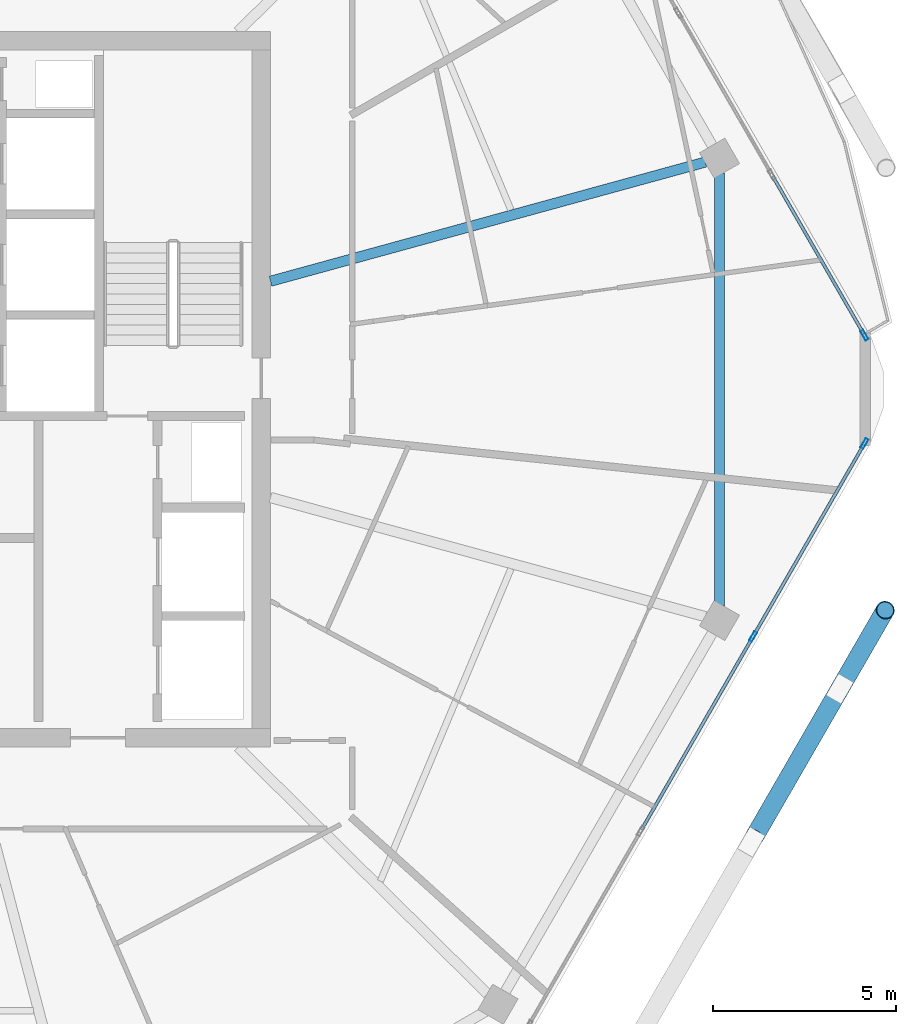
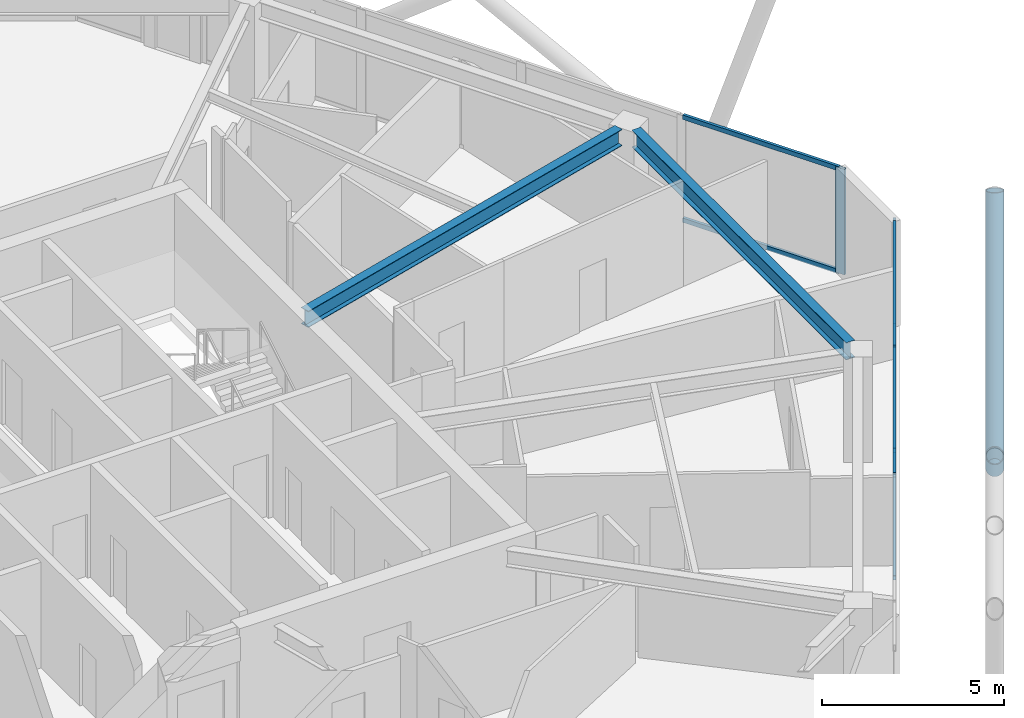
# One storey, part 9 of 24: 11 members, 2 beams, 2 elements without a shape of their own.
"""IFC4 building model written with IfcOpenShell, lengths in metres."""

from ifc_helpers import new_model, si_unit, direction, frame, origin, origin_2d, place, context, subcontext, project, spatial, hollow_rectangle, hollow_circle, i_section, extrude, material, material_profile, profile_set, type_object, element, aggregate, save


model = new_model("IFC4")

# Units and contexts
model_context = context("Model", 3, precision=1e-05, world=origin(), true_north=direction((0.0, 1.0)))
body_context = subcontext(model_context, "Body", "Model", "MODEL_VIEW")
ifc_project = project(units=[si_unit("LENGTHUNIT", "METRE"), si_unit("AREAUNIT", "SQUARE_METRE"), si_unit("VOLUMEUNIT", "CUBIC_METRE"), si_unit("PLANEANGLEUNIT", "RADIAN"), si_unit("MASSUNIT", "GRAM", prefix="KILO")], contexts=[model_context])

# Site, building, storey
site_placement = place(None, origin())
site = spatial("IfcSite", under=ifc_project, at=site_placement, CompositionType="ELEMENT")
building_placement = place(site_placement, origin())
building = spatial("IfcBuilding", under=site, at=building_placement, Name="Zuhravey Tower", CompositionType="ELEMENT")
storey_placement = place(building_placement, frame((0.0, 0.0, 308.199951171875)))
storey = spatial("IfcBuildingStorey", under=building, at=storey_placement, Name="L78", CompositionType="ELEMENT", Elevation=308.199951171875)

# Curtain wall, members
ifc_material_1 = material(Name="Thermally broken anodised aluminium", Category="aluminium")
curtain_wall_type = type_object("IfcCurtainWallType", Name="Zone 3-4 High-Rise Curtain Wall CW4", PredefinedType="NOTDEFINED", material=ifc_material_1)
curtain_wall_1_placement = place(storey_placement, origin())
curtain_wall_1 = element("IfcCurtainWall", 1, at=curtain_wall_1_placement, inside=storey, type_object=curtain_wall_type, Name="L78 CW4 CW-L78-F6-1", PredefinedType="NOTDEFINED")
ifc_material_2 = material(Name="Anodised aluminium", Category="aluminium")
ifc_material_profile_1 = material_profile(ifc_material_2, hollow_rectangle(XDim=0.090087890625, YDim=0.284912109375, WallThickness=0.0048828125, at=origin_2d()), Name="ALU-RHS-90x285x5")
ifc_profile_set_1 = profile_set([ifc_material_profile_1], Name="Anodised aluminium")
member_type_1 = type_object("IfcMemberType", Name="Curtain-Wall Mullion 90x180", PredefinedType="MULLION", material=ifc_profile_set_1)
member_1_placement = place(storey_placement, frame((62.94580078125, 30.5234375, 0.0), z_axis=(0.0, 0.0, 1.0), x_axis=(0.866025511541, -0.49999981336, 0.0)))
member_1 = element("IfcMember", 2, at=member_1_placement, type_object=member_type_1, Name="CW4 mullion 1", PredefinedType="MULLION", context=body_context, shape_type="SweptSolid", body=[
    extrude(hollow_rectangle(XDim=0.090087890625, YDim=0.284912109375, WallThickness=0.0048828125, at=origin_2d()), origin(), (0.0, 0.0, 1.0), 3.550048828125),
])
member_2_placement = place(storey_placement, frame((59.90869140625, 25.2626953125, 0.0), z_axis=(0.0, 0.0, 1.0), x_axis=(0.866025511541, -0.49999981336, 0.0)))
member_2 = element("IfcMember", 3, at=member_2_placement, type_object=member_type_1, Name="CW4 mullion 2", PredefinedType="MULLION", context=body_context, shape_type="SweptSolid", body=[
    extrude(hollow_rectangle(XDim=0.090087890625, YDim=0.284912109375, WallThickness=0.0048828125, at=origin_2d()), origin(), (0.0, 0.0, 1.0), 3.550048828125),
])

# Curtain wall, member
curtain_wall_2_placement = place(storey_placement, origin())
curtain_wall_2 = element("IfcCurtainWall", 4, at=curtain_wall_2_placement, inside=storey, type_object=curtain_wall_type, Name="L78 CW4 CW-L78-F1-2", PredefinedType="NOTDEFINED")
member_3_placement = place(storey_placement, frame((62.94580078125, 33.4765625, 0.0), z_axis=(0.0, 0.0, 1.0), x_axis=(0.866023892901, 0.500002616917, 0.0)))
member_3 = element("IfcMember", 5, at=member_3_placement, type_object=member_type_1, Name="CW4 mullion 5", PredefinedType="MULLION", context=body_context, shape_type="SweptSolid", body=[
    extrude(hollow_rectangle(XDim=0.090087890625, YDim=0.284912109375, WallThickness=0.0048828125, at=origin_2d()), origin(), (0.0, 0.0, 1.0), 3.550048828125),
])

# Member
ifc_material_profile_2 = material_profile(ifc_material_2, hollow_rectangle(XDim=0.090087890625, YDim=0.14990234375, WallThickness=0.0048828125, at=origin_2d()), Name="ALU-RHS-90x150x5")
ifc_profile_set_2 = profile_set([ifc_material_profile_2], Name="Anodised aluminium")
member_type_2 = type_object("IfcMemberType", Name="Curtain-Wall Transom 90x150", PredefinedType="USERDEFINED", material=ifc_profile_set_2)
member_4_placement = place(storey_placement, frame((62.92333984375, 30.484619140625, 0.045166015625), z_axis=(-0.499982594807, -0.866035452444, 0.0), x_axis=(0.866035452444, -0.499982594807, 0.0)))
member_4 = element("IfcMember", 6, at=member_4_placement, type_object=member_type_2, Name="CW4 transom 1.1", ObjectType="TRANSOM", PredefinedType="USERDEFINED", context=body_context, shape_type="SweptSolid", body=[
    extrude(hollow_rectangle(XDim=0.090087890625, YDim=0.14990234375, WallThickness=0.0048828125, at=origin_2d()), origin(), (0.0, 0.0, 1.0), 5.984619140625),
])

member_5_placement = place(storey_placement, frame((62.92333984375, 30.484619140625, 3.505126953125), z_axis=(-0.499982594807, -0.866035452444, 0.0), x_axis=(0.866035452444, -0.499982594807, 0.0)))
member_5 = element("IfcMember", 7, at=member_5_placement, type_object=member_type_2, Name="CW4 transom 1.2", ObjectType="TRANSOM", PredefinedType="USERDEFINED", context=body_context, shape_type="SweptSolid", body=[
    extrude(hollow_rectangle(XDim=0.090087890625, YDim=0.14990234375, WallThickness=0.0048828125, at=origin_2d()), origin(), (0.0, 0.0, 1.0), 5.984619140625),
])

member_6_placement = place(storey_placement, frame((59.885986328125, 25.2236328125, 0.045166015625), z_axis=(-0.499988837749, -0.866031848217, 0.0), x_axis=(0.866031848217, -0.499988837749, 0.0)))
member_6 = element("IfcMember", 8, at=member_6_placement, type_object=member_type_2, Name="CW4 transom 2.1", ObjectType="TRANSOM", PredefinedType="USERDEFINED", context=body_context, shape_type="SweptSolid", body=[
    extrude(hollow_rectangle(XDim=0.090087890625, YDim=0.14990234375, WallThickness=0.0048828125, at=origin_2d()), origin(), (0.0, 0.0, 1.0), 6.029541015625),
])

member_7_placement = place(storey_placement, frame((59.885986328125, 25.2236328125, 3.505126953125), z_axis=(-0.499988837749, -0.866031848217, 0.0), x_axis=(0.866031848217, -0.499988837749, 0.0)))
member_7 = element("IfcMember", 9, at=member_7_placement, type_object=member_type_2, Name="CW4 transom 2.2", ObjectType="TRANSOM", PredefinedType="USERDEFINED", context=body_context, shape_type="SweptSolid", body=[
    extrude(hollow_rectangle(XDim=0.090087890625, YDim=0.14990234375, WallThickness=0.0048828125, at=origin_2d()), origin(), (0.0, 0.0, 1.0), 6.029541015625),
])

aggregate(curtain_wall_1, [member_1, member_2, member_4, member_5, member_6, member_7])

member_8_placement = place(storey_placement, frame((60.4443359375, 37.80908203125, 0.045166015625), z_axis=(0.500005200548, -0.866022401226, 0.0), x_axis=(0.866022401226, 0.500005200548, 0.0)))
member_8 = element("IfcMember", 10, at=member_8_placement, type_object=member_type_2, Name="CW4 transom 4.1", ObjectType="TRANSOM", PredefinedType="USERDEFINED", context=body_context, shape_type="SweptSolid", body=[
    extrude(hollow_rectangle(XDim=0.090087890625, YDim=0.14990234375, WallThickness=0.0048828125, at=origin_2d()), origin(), (0.0, 0.0, 1.0), 4.9580078125),
])

member_9_placement = place(storey_placement, frame((60.4443359375, 37.80908203125, 3.505126953125), z_axis=(0.500005200548, -0.866022401226, 0.0), x_axis=(0.866022401226, 0.500005200548, 0.0)))
member_9 = element("IfcMember", 11, at=member_9_placement, type_object=member_type_2, Name="CW4 transom 4.2", ObjectType="TRANSOM", PredefinedType="USERDEFINED", context=body_context, shape_type="SweptSolid", body=[
    extrude(hollow_rectangle(XDim=0.090087890625, YDim=0.14990234375, WallThickness=0.0048828125, at=origin_2d()), origin(), (0.0, 0.0, 1.0), 4.9580078125),
])

aggregate(curtain_wall_2, [member_3, member_8, member_9])

# Members
ifc_material_3 = material(Name="Steel SM355", Category="steel")
ifc_material_profile_3 = material_profile(ifc_material_3, hollow_circle(Radius=0.25390625, WallThickness=0.02490234375, at=origin_2d()), Name="CHS-508.0x25")
ifc_profile_set_3 = profile_set([ifc_material_profile_3], Name="Steel SM355")
member_type_3 = type_object("IfcMemberType", Name="Exoskeleton Zone 4 Diagrid CHS508x25", PredefinedType="BRACE", material=ifc_profile_set_3)
member_10_placement = place(storey_placement, frame((62.275146484375, 23.842041015625, -0.447998046875), z_axis=(0.155227725192, 0.268842644559, 0.950593491351), x_axis=(-0.866009569118, 0.500027425445, 0.0)))
element("IfcMember", 12, at=member_10_placement, inside=storey, type_object=member_type_3, Name="L78 Face 6 Diagrid Brace 4", PredefinedType="BRACE", context=body_context, shape_type="SweptSolid", body=[
    extrude(hollow_circle(Radius=0.25390625, WallThickness=0.02490234375, at=origin_2d()), origin(), (0.0, 0.0, 1.0), 7.96142578125),
])
member_11_placement = place(storey_placement, frame((62.259033203125, 23.81396484375, -0.4423828125), z_axis=(-0.392851490218, -0.680454086066, 0.618587054011), x_axis=(0.866030286288, -0.49999154316, 0.0)))
element("IfcMember", 13, at=member_11_placement, inside=storey, type_object=member_type_3, Name="L78 Face 6 Split Diagrid Brace 3A", PredefinedType="BRACE", context=body_context, shape_type="SweptSolid", body=[
    extrude(hollow_circle(Radius=0.25390625, WallThickness=0.02490234375, at=origin_2d()), origin(), (0.0, 0.0, 1.0), 5.864013671875),
])

# Beams
ifc_material_profile_4 = material_profile(ifc_material_3, i_section(OverallWidth=0.280029296875, OverallDepth=0.580078125, WebThickness=0.011962890625, FlangeThickness=0.01904296875, at=origin_2d()), Name="H-580x280x12x19")
ifc_profile_set_4 = profile_set([ifc_material_profile_4], Name="Steel SM355")
beam_type_1 = type_object("IfcBeamType", Name="Perimeter Ring Beam H580x280", PredefinedType="BEAM", material=ifc_profile_set_4)
beam_1_placement = place(storey_placement, frame((58.993408203125, 26.1005859375, 3.260009765625), z_axis=(0.0, 1.0, 0.0), x_axis=(-1.0, 0.0, 0.0)))
element("IfcBeam", 14, at=beam_1_placement, inside=storey, type_object=beam_type_1, Name="L78 PB4 BM-L78-PB-12", PredefinedType="BEAM", context=body_context, shape_type="SweptSolid", body=[
    extrude(i_section(OverallWidth=0.280029296875, OverallDepth=0.580078125, WebThickness=0.011962890625, FlangeThickness=0.01904296875, at=origin_2d()), origin(), (0.0, 0.0, 1.0), 11.798828125),
])
ifc_material_profile_5 = material_profile(ifc_material_3, i_section(OverallWidth=0.280029296875, OverallDepth=0.550048828125, WebThickness=0.010986328125, FlangeThickness=0.01806640625, at=origin_2d()), Name="H-550x280x11x18")
ifc_profile_set_5 = profile_set([ifc_material_profile_5], Name="Steel SM355")
beam_type_2 = type_object("IfcBeamType", Name="Radial Primary Girder H550x280", PredefinedType="BEAM", material=ifc_profile_set_5)
beam_2_placement = place(storey_placement, frame((46.7529296875, 34.947265625, 3.275146484375), z_axis=(0.964427903067, 0.264346022829, 0.0), x_axis=(-0.264346022829, 0.964427903067, 0.0)))
element("IfcBeam", 15, at=beam_2_placement, inside=storey, type_object=beam_type_2, Name="L78 RG4 BM-L78-RAD-01", PredefinedType="BEAM", context=body_context, shape_type="SweptSolid", body=[
    extrude(i_section(OverallWidth=0.280029296875, OverallDepth=0.550048828125, WebThickness=0.010986328125, FlangeThickness=0.01806640625, at=origin_2d()), origin(), (0.0, 0.0, 1.0), 12.2890625),
])

save(model, "model.ifc")
